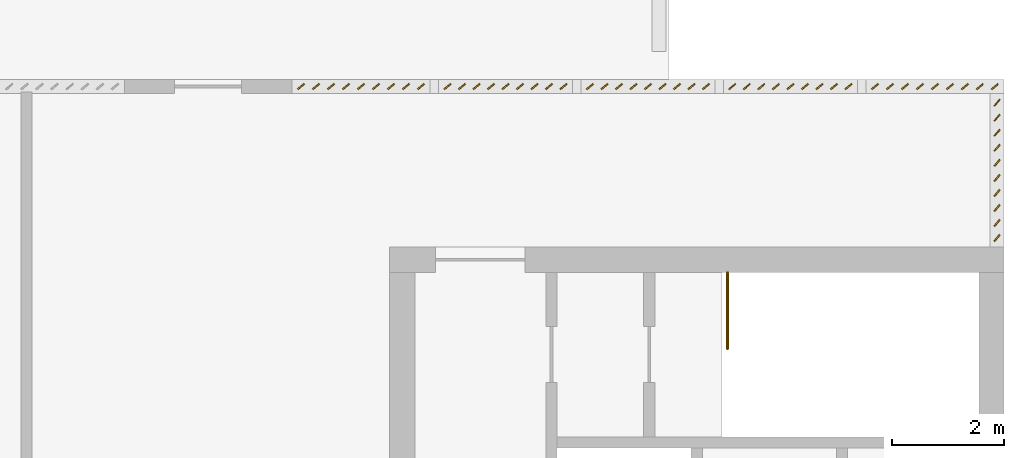
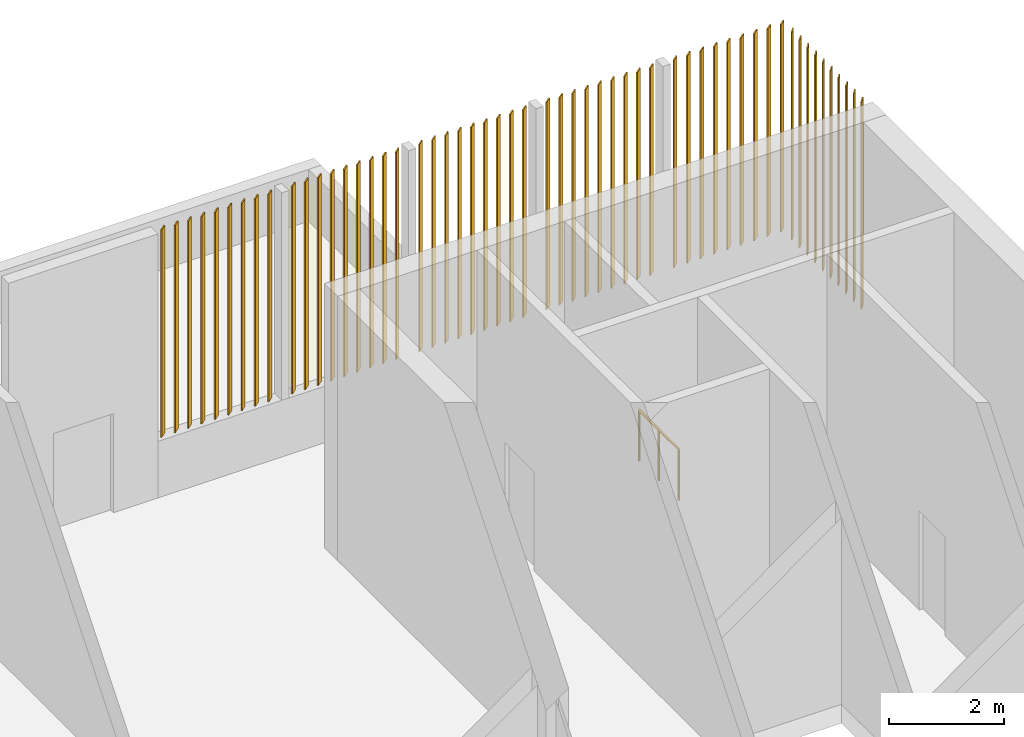
# One storey, part 9 of 9: 55 shading devices, 1 railing.
"""IFC4 building model written with IfcOpenShell, lengths in metres."""

from ifc_helpers import new_model, si_unit, direction, frame, origin, origin_2d, place, context, subcontext, project, spatial, rectangle, circle, extrude, material, material_profile, profile_set, type_object, element, save


model = new_model("IFC4")

# Units and contexts
model_context = context("Model", 3, precision=1e-05, world=origin(), true_north=direction((0.0, 1.0)))
body_context = subcontext(model_context, "Body", "Model", "MODEL_VIEW")
ifc_project = project(units=[si_unit("LENGTHUNIT", "METRE"), si_unit("AREAUNIT", "SQUARE_METRE"), si_unit("VOLUMEUNIT", "CUBIC_METRE"), si_unit("PLANEANGLEUNIT", "RADIAN"), si_unit("MASSUNIT", "GRAM", prefix="KILO")], contexts=[model_context])

# Site, building, storey
site_placement = place(None, origin())
site = spatial("IfcSite", under=ifc_project, at=site_placement, CompositionType="ELEMENT")
building_placement = place(site_placement, origin())
building = spatial("IfcBuilding", under=site, at=building_placement, Name="Kitamizu Gate Tower and Museum", CompositionType="ELEMENT")
storey_placement = place(building_placement, frame((0.0, 0.0, 283.35009765625)))
storey = spatial("IfcBuildingStorey", under=building, at=storey_placement, Name="L76", CompositionType="ELEMENT", Elevation=283.35009765625)

# Shading devices
ifc_material_1 = material(Name="Bronze anodised aluminium", Category="aluminium")
ifc_material_profile = material_profile(ifc_material_1, rectangle(XDim=0.14990234375, YDim=0.02490234375, at=origin_2d()), Name="AL 25x150")
ifc_profile_set = profile_set([ifc_material_profile], Name="Bronze anodised aluminium")
shading_device_type = type_object("IfcShadingDeviceType", Name="LOUVRE FIN LVF1 25x150", PredefinedType="JALOUSIE", material=ifc_profile_set)
for number, where, z_axis, x_axis, name in (
    (1, (46.9140625, 41.375, 1.199951171875), (0.0, 0.0, 1.0), (0.766044443119, 0.642787609687, 0.0), "Louvre fin NB1-1"),
    (2, (47.1826171875, 41.375, 1.199951171875), (0.0, 0.0, 1.0), (0.766044443119, 0.642787609687, 0.0), "Louvre fin NB1-2"),
    (3, (47.450927734375, 41.375, 1.199951171875), (0.0, 0.0, 1.0), (0.766044443119, 0.642787609687, 0.0), "Louvre fin NB1-3"),
    (4, (47.71923828125, 41.375, 1.199951171875), (0.0, 0.0, 1.0), (0.766044443119, 0.642787609687, 0.0), "Louvre fin NB1-4"),
    (5, (47.987548828125, 41.375, 1.199951171875), (0.0, 0.0, 1.0), (0.766044443119, 0.642787609687, 0.0), "Louvre fin NB1-5"),
    (6, (48.255859375, 41.375, 1.199951171875), (0.0, 0.0, 1.0), (0.766044443119, 0.642787609687, 0.0), "Louvre fin NB1-6"),
    (7, (48.524169921875, 41.375, 1.199951171875), (0.0, 0.0, 1.0), (0.766044443119, 0.642787609687, 0.0), "Louvre fin NB1-7"),
    (8, (48.79248046875, 41.375, 1.199951171875), (0.0, 0.0, 1.0), (0.766044443119, 0.642787609687, 0.0), "Louvre fin NB1-8"),
    (9, (49.060791015625, 41.375, 1.199951171875), (0.0, 0.0, 1.0), (0.766044443119, 0.642787609687, 0.0), "Louvre fin NB1-9"),
    (10, (49.534912109375, 41.375, 1.199951171875), (0.0, 0.0, 1.0), (0.766044443119, 0.642787609687, 0.0), "Louvre fin NB2-1"),
    (11, (49.794921875, 41.375, 1.199951171875), (0.0, 0.0, 1.0), (0.766044443119, 0.642787609687, 0.0), "Louvre fin NB2-2"),
    (12, (50.054931640625, 41.375, 1.199951171875), (0.0, 0.0, 1.0), (0.766044443119, 0.642787609687, 0.0), "Louvre fin NB2-3"),
    (13, (50.31494140625, 41.375, 1.199951171875), (0.0, 0.0, 1.0), (0.766044443119, 0.642787609687, 0.0), "Louvre fin NB2-4"),
    (14, (50.574951171875, 41.375, 1.199951171875), (0.0, 0.0, 1.0), (0.766044443119, 0.642787609687, 0.0), "Louvre fin NB2-5"),
    (15, (50.8349609375, 41.375, 1.199951171875), (0.0, 0.0, 1.0), (0.766044443119, 0.642787609687, 0.0), "Louvre fin NB2-6"),
    (16, (51.094970703125, 41.375, 1.199951171875), (0.0, 0.0, 1.0), (0.766044443119, 0.642787609687, 0.0), "Louvre fin NB2-7"),
    (17, (51.35498046875, 41.375, 1.199951171875), (0.0, 0.0, 1.0), (0.766044443119, 0.642787609687, 0.0), "Louvre fin NB2-8"),
    (18, (51.614990234375, 41.375, 1.199951171875), (0.0, 0.0, 1.0), (0.766044443119, 0.642787609687, 0.0), "Louvre fin NB2-9"),
    (19, (52.0849609375, 41.375, 1.199951171875), (0.0, 0.0, 1.0), (0.766044443119, 0.642787609687, 0.0), "Louvre fin NB3-1"),
    (20, (52.344970703125, 41.375, 1.199951171875), (0.0, 0.0, 1.0), (0.766044443119, 0.642787609687, 0.0), "Louvre fin NB3-2"),
    (21, (52.60498046875, 41.375, 1.199951171875), (0.0, 0.0, 1.0), (0.766044443119, 0.642787609687, 0.0), "Louvre fin NB3-3"),
    (22, (52.864990234375, 41.375, 1.199951171875), (0.0, 0.0, 1.0), (0.766044443119, 0.642787609687, 0.0), "Louvre fin NB3-4"),
    (23, (53.125, 41.375, 1.199951171875), (0.0, 0.0, 1.0), (0.766044443119, 0.642787609687, 0.0), "Louvre fin NB3-5"),
    (24, (53.385009765625, 41.375, 1.199951171875), (0.0, 0.0, 1.0), (0.766044443119, 0.642787609687, 0.0), "Louvre fin NB3-6"),
    (25, (53.64501953125, 41.375, 1.199951171875), (0.0, 0.0, 1.0), (0.766044443119, 0.642787609687, 0.0), "Louvre fin NB3-7"),
    (26, (53.905029296875, 41.375, 1.199951171875), (0.0, 0.0, 1.0), (0.766044443119, 0.642787609687, 0.0), "Louvre fin NB3-8"),
    (27, (54.1650390625, 41.375, 1.199951171875), (0.0, 0.0, 1.0), (0.766044443119, 0.642787609687, 0.0), "Louvre fin NB3-9"),
    (28, (54.635009765625, 41.375, 1.199951171875), (0.0, 0.0, 1.0), (0.766044443119, 0.642787609687, 0.0), "Louvre fin NB4-1"),
    (29, (54.89501953125, 41.375, 1.199951171875), (0.0, 0.0, 1.0), (0.766044443119, 0.642787609687, 0.0), "Louvre fin NB4-2"),
    (30, (55.155029296875, 41.375, 1.199951171875), (0.0, 0.0, 1.0), (0.766044443119, 0.642787609687, 0.0), "Louvre fin NB4-3"),
    (31, (55.4150390625, 41.375, 1.199951171875), (0.0, 0.0, 1.0), (0.766044443119, 0.642787609687, 0.0), "Louvre fin NB4-4"),
    (32, (55.675048828125, 41.375, 1.199951171875), (0.0, 0.0, 1.0), (0.766044443119, 0.642787609687, 0.0), "Louvre fin NB4-5"),
    (33, (55.93505859375, 41.375, 1.199951171875), (0.0, 0.0, 1.0), (0.766044443119, 0.642787609687, 0.0), "Louvre fin NB4-6"),
    (34, (56.195068359375, 41.375, 1.199951171875), (0.0, 0.0, 1.0), (0.766044443119, 0.642787609687, 0.0), "Louvre fin NB4-7"),
    (35, (56.455078125, 41.375, 1.199951171875), (0.0, 0.0, 1.0), (0.766044443119, 0.642787609687, 0.0), "Louvre fin NB4-8"),
    (36, (56.715087890625, 41.375, 1.199951171875), (0.0, 0.0, 1.0), (0.766044443119, 0.642787609687, 0.0), "Louvre fin NB4-9"),
    (37, (57.189208984375, 41.375, 1.199951171875), (0.0, 0.0, 1.0), (0.766044443119, 0.642787609687, 0.0), "Louvre fin NB5-1"),
    (38, (57.45751953125, 41.375, 1.199951171875), (0.0, 0.0, 1.0), (0.766044443119, 0.642787609687, 0.0), "Louvre fin NB5-2"),
    (39, (57.725830078125, 41.375, 1.199951171875), (0.0, 0.0, 1.0), (0.766044443119, 0.642787609687, 0.0), "Louvre fin NB5-3"),
    (40, (57.994140625, 41.375, 1.199951171875), (0.0, 0.0, 1.0), (0.766044443119, 0.642787609687, 0.0), "Louvre fin NB5-4"),
    (41, (58.262451171875, 41.375, 1.199951171875), (0.0, 0.0, 1.0), (0.766044443119, 0.642787609687, 0.0), "Louvre fin NB5-5"),
    (42, (58.53076171875, 41.375, 1.199951171875), (0.0, 0.0, 1.0), (0.766044443119, 0.642787609687, 0.0), "Louvre fin NB5-6"),
    (43, (58.799072265625, 41.375, 1.199951171875), (0.0, 0.0, 1.0), (0.766044443119, 0.642787609687, 0.0), "Louvre fin NB5-7"),
    (44, (59.0673828125, 41.375, 1.199951171875), (0.0, 0.0, 1.0), (0.766044443119, 0.642787609687, 0.0), "Louvre fin NB5-8"),
    (45, (59.3359375, 41.375, 1.199951171875), (0.0, 0.0, 1.0), (0.766044443119, 0.642787609687, 0.0), "Louvre fin NB5-9"),
    (46, (59.375, 38.66455078125, 1.199951171875), (0.0, 0.0, 1.0), (0.642787609687, 0.766044443119, 0.0), "Louvre fin EN1-1"),
    (47, (59.375, 38.93359375, 1.199951171875), (0.0, 0.0, 1.0), (0.642787609687, 0.766044443119, 0.0), "Louvre fin EN1-2"),
    (48, (59.375, 39.202392578125, 1.199951171875), (0.0, 0.0, 1.0), (0.642787609687, 0.766044443119, 0.0), "Louvre fin EN1-3"),
    (49, (59.375, 39.471435546875, 1.199951171875), (0.0, 0.0, 1.0), (0.642787609687, 0.766044443119, 0.0), "Louvre fin EN1-4"),
    (50, (59.375, 39.740478515625, 1.199951171875), (0.0, 0.0, 1.0), (0.642787609687, 0.766044443119, 0.0), "Louvre fin EN1-5"),
    (51, (59.375, 40.009521484375, 1.199951171875), (0.0, 0.0, 1.0), (0.642787609687, 0.766044443119, 0.0), "Louvre fin EN1-6"),
    (52, (59.375, 40.278564453125, 1.199951171875), (0.0, 0.0, 1.0), (0.642787609687, 0.766044443119, 0.0), "Louvre fin EN1-7"),
    (53, (59.375, 40.547607421875, 1.199951171875), (0.0, 0.0, 1.0), (0.642787609687, 0.766044443119, 0.0), "Louvre fin EN1-8"),
    (54, (59.375, 40.81640625, 1.199951171875), (0.0, 0.0, 1.0), (0.642787609687, 0.766044443119, 0.0), "Louvre fin EN1-9"),
    (55, (59.375, 41.08544921875, 1.199951171875), (0.0, 0.0, 1.0), (0.642787609687, 0.766044443119, 0.0), "Louvre fin EN1-10"),
):
    element("IfcShadingDevice", number, at=place(storey_placement, frame(where, z_axis=z_axis, x_axis=x_axis)), inside=storey, type_object=shading_device_type, Name=name, PredefinedType="JALOUSIE", context=body_context, shape_type="SweptSolid", body=[
        extrude(rectangle(XDim=0.14990234375, YDim=0.02490234375, at=origin_2d()), origin(), (0.0, 0.0, 1.0), 4.39990234375),
    ])

# Railing
ifc_material_2 = material(Name="Stainless steel SUS304 with toughened glass", Category="steel")
railing_type = type_object("IfcRailingType", Name="Stair guard 1100", PredefinedType="GUARDRAIL", material=ifc_material_2)
railing_placement = place(storey_placement, frame((54.550048828125, 36.675048828125, 0.0)))
element("IfcRailing", 56, at=railing_placement, inside=storey, type_object=railing_type, Name="Stair guard E-N", PredefinedType="GUARDRAIL", context=body_context, shape_type="SweptSolid", body=[
    extrude(circle(Radius=0.02392578125, at=origin_2d()), frame((0.0, 0.0, 1.076171875), z_axis=(0.0, 1.0, 0.0), x_axis=(-1.0, 0.0, 0.0)), (0.0, 0.0, 1.0), 1.375),
    extrude(circle(Radius=0.02099609375, at=origin_2d()), origin(), (0.0, 0.0, 1.0), 1.052001953125),
    extrude(circle(Radius=0.02099609375, at=origin_2d()), frame((0.0, 0.6875, 0.0)), (0.0, 0.0, 1.0), 1.052001953125),
    extrude(circle(Radius=0.02099609375, at=origin_2d()), frame((0.0, 1.375, 0.0)), (0.0, 0.0, 1.0), 1.052001953125),
])

save(model, "model.ifc")
